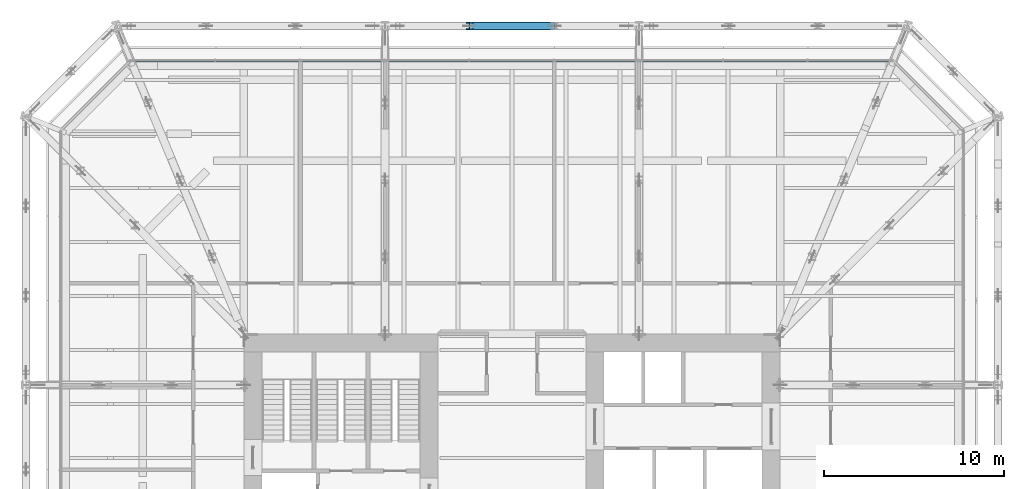
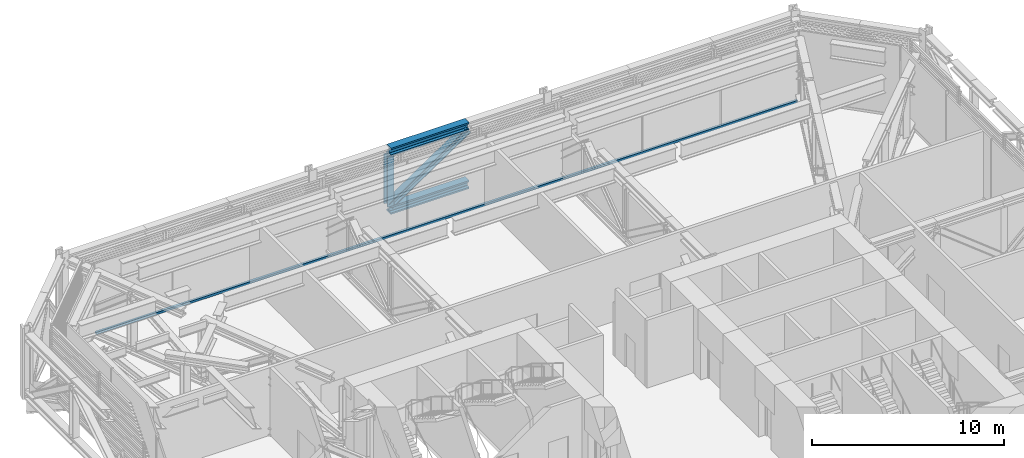
# One storey, part 17 of 33: 3 members, 2 beams, 1 element without a shape of its own.
"""IFC4 building model written with IfcOpenShell, lengths in metres."""

from ifc_helpers import new_model, si_unit, direction, frame, origin, origin_2d, place, context, subcontext, project, spatial, rectangle, i_section, extrude, material, layer, layer_set, material_profile, profile_set, type_object, element, aggregate, save


model = new_model("IFC4")

# Units and contexts
model_context = context("Model", 3, precision=1e-05, world=origin(), true_north=direction((0.0, 1.0)))
body_context = subcontext(model_context, "Body", "Model", "MODEL_VIEW")
ifc_project = project(units=[si_unit("LENGTHUNIT", "METRE"), si_unit("AREAUNIT", "SQUARE_METRE"), si_unit("VOLUMEUNIT", "CUBIC_METRE"), si_unit("PLANEANGLEUNIT", "RADIAN"), si_unit("MASSUNIT", "GRAM", prefix="KILO")], contexts=[model_context])

# Site, building, storey
site_placement = place(None, origin())
site = spatial("IfcSite", under=ifc_project, at=site_placement, CompositionType="ELEMENT")
building_placement = place(site_placement, origin())
building = spatial("IfcBuilding", under=site, at=building_placement, Name="Millrace Tower", CompositionType="ELEMENT")
storey_placement = place(building_placement, frame((0.0, 0.0, 64.10009765625)))
storey = spatial("IfcBuildingStorey", under=building, at=storey_placement, Name="L14", CompositionType="ELEMENT", Elevation=64.10009765625)

# Beams
ifc_material_1 = material(Name="Steel ASTM A992 Grade 50", Category="steel")
ifc_material_profile_1 = material_profile(ifc_material_1, i_section(OverallWidth=0.436767578125, OverallDepth=0.51318359375, WebThickness=0.060546875, FlangeThickness=0.096923828125, FilletRadius=0.01513671875, at=origin_2d()))
ifc_profile_set_1 = profile_set([ifc_material_profile_1], Name="Steel ASTM A992 Grade 50")
beam_type = type_object("IfcBeamType", Name="Belt truss chord W14x550", PredefinedType="BEAM", material=ifc_profile_set_1)
for number, where, z_axis, x_axis, name in (
    (1, (2.35009765625, 27.0, 0.25634765625), (-1.0, 0.0, 0.0), (0.0, -1.0, 0.0), "BLT-L14-R11-B02"),
    (2, (2.35009765625, 27.0, 3.943359375), (-1.0, 0.0, 0.0), (0.0, -1.0, 0.0), "BLT-L14-R11-T02"),
):
    element("IfcBeam", number, at=place(storey_placement, frame(where, z_axis=z_axis, x_axis=x_axis)), inside=storey, type_object=beam_type, Name=name, PredefinedType="BEAM", context=body_context, shape_type="SweptSolid", body=[
        extrude(i_section(OverallWidth=0.436767578125, OverallDepth=0.51318359375, WebThickness=0.060546875, FlangeThickness=0.096923828125, FilletRadius=0.01513671875, at=origin_2d()), origin(), (0.0, 0.0, 1.0), 4.7001953125),
    ])

# Members
ifc_material_2 = material(Name="Steel ASTM A992 Grade 50", Category="steel")
ifc_material_profile_2 = material_profile(ifc_material_2, i_section(OverallWidth=0.40380859375, OverallDepth=0.406494140625, WebThickness=0.027099609375, FlangeThickness=0.043701171875, FilletRadius=0.01513671875, at=origin_2d()))
ifc_profile_set_2 = profile_set([ifc_material_profile_2], Name="Steel ASTM A992 Grade 50")
member_type_1 = type_object("IfcMemberType", Name="Belt truss diagonal W14x233", PredefinedType="BRACE", material=ifc_profile_set_2)
member_1_placement = place(storey_placement, frame((-2.35009765625, 27.0, 0.512939453125), z_axis=(0.82875084798, 0.0, 0.559617755233), x_axis=(0.0, 1.0, 0.0)))
element("IfcMember", 3, at=member_1_placement, inside=storey, type_object=member_type_1, Name="BLT-L14-R11-D02", PredefinedType="BRACE", context=body_context, shape_type="SweptSolid", body=[
    extrude(i_section(OverallWidth=0.40380859375, OverallDepth=0.406494140625, WebThickness=0.027099609375, FlangeThickness=0.043701171875, FilletRadius=0.01513671875, at=origin_2d()), origin(), (0.0, 0.0, 1.0), 5.67138671875),
])
ifc_material_3 = material(Name="Steel ASTM A992 Grade 50", Category="steel")
ifc_material_profile_3 = material_profile(ifc_material_3, i_section(OverallWidth=0.398681640625, OverallDepth=0.393798828125, WebThickness=0.022705078125, FlangeThickness=0.03662109375, FilletRadius=0.01513671875, at=origin_2d()))
ifc_profile_set_3 = profile_set([ifc_material_profile_3], Name="Steel ASTM A992 Grade 50")
member_type_2 = type_object("IfcMemberType", Name="Belt truss post W14x193", PredefinedType="POST", material=ifc_profile_set_3)
member_2_placement = place(storey_placement, frame((-2.35009765625, 27.0, 0.512939453125), z_axis=(0.0, 0.0, 1.0), x_axis=(1.0, 0.0, 0.0)))
element("IfcMember", 4, at=member_2_placement, inside=storey, type_object=member_type_2, Name="BLT-L14-R11-V02", PredefinedType="POST", context=body_context, shape_type="SweptSolid", body=[
    extrude(i_section(OverallWidth=0.398681640625, OverallDepth=0.393798828125, WebThickness=0.022705078125, FlangeThickness=0.03662109375, FilletRadius=0.01513671875, at=origin_2d()), origin(), (0.0, 0.0, 1.0), 3.173828125),
])

# Curtain wall, member
ifc_material_4 = material(Name="Aluminium and glass", Category="aluminium")
ifc_layer = layer(ifc_material_4, 0.14990234375)
ifc_layer_set = layer_set([ifc_layer], Name="Aluminium and glass")
curtain_wall_type = type_object("IfcCurtainWallType", Name="CW-5 truss and plant storey louvred infill", PredefinedType="NOTDEFINED", material=ifc_layer_set)
curtain_wall_placement = place(storey_placement, origin())
curtain_wall = element("IfcCurtainWall", 5, at=curtain_wall_placement, inside=storey, type_object=curtain_wall_type, Name="Curtain wall A-F06 L14", PredefinedType="NOTDEFINED")
ifc_material_5 = material(Name="Aluminium", Category="aluminium")
ifc_material_profile_4 = material_profile(ifc_material_5, rectangle(XDim=0.14990234375, YDim=0.139892578125, at=origin_2d()))
ifc_profile_set_4 = profile_set([ifc_material_profile_4], Name="Aluminium")
member_type_3 = type_object("IfcMemberType", Name="CW-5 truss and plant storey louvred infill transom", PredefinedType="USERDEFINED", material=ifc_profile_set_4)
member_3_placement = place(storey_placement, frame((21.050048828125, 25.074951171875, 0.06982421875), z_axis=(-1.0, 0.0, 0.0), x_axis=(0.0, -1.0, 0.0)))
member_3 = element("IfcMember", 6, at=member_3_placement, type_object=member_type_3, Name="CW5 transom A-F06.1", ObjectType="TRANSOM", PredefinedType="USERDEFINED", context=body_context, shape_type="SweptSolid", body=[
    extrude(rectangle(XDim=0.14990234375, YDim=0.139892578125, at=origin_2d()), origin(), (0.0, 0.0, 1.0), 42.10009765625),
])
aggregate(curtain_wall, [member_3])

save(model, "model.ifc")
